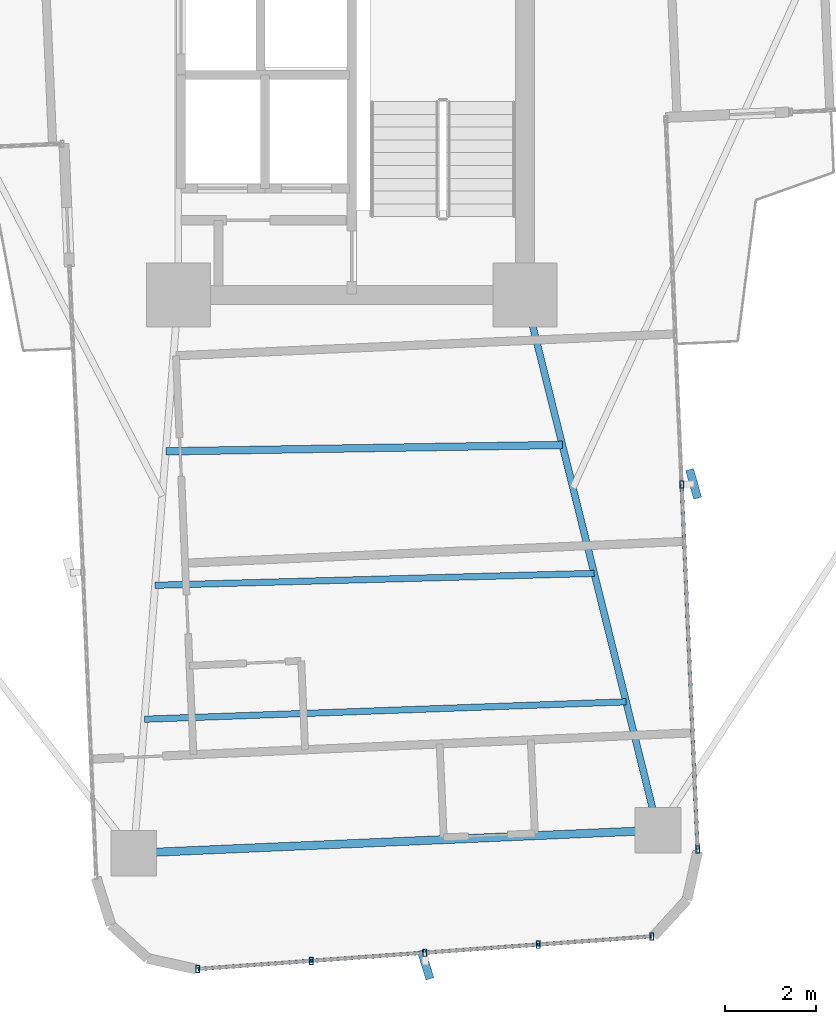
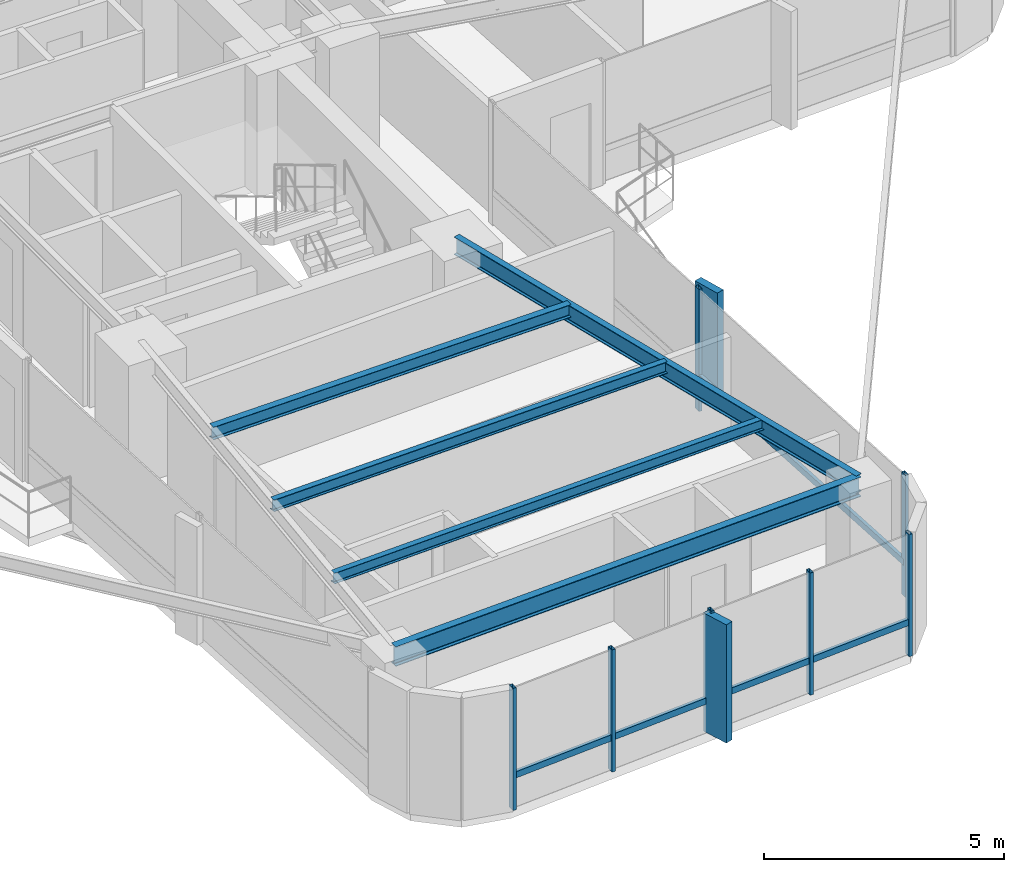
# One storey, part 6 of 26: 14 members, 5 beams, 2 elements without a shape of their own.
"""IFC4 building model written with IfcOpenShell, lengths in metres."""

from ifc_helpers import new_model, si_unit, direction, frame, origin, origin_2d, place, context, subcontext, project, spatial, rectangle, hollow_rectangle, i_section, extrude, source, transform, mapped, material, material_profile, profile_set, type_object, element, aggregate, save


model = new_model("IFC4")

# Units and contexts
model_context = context("Model", 3, precision=1e-05, world=origin(), true_north=direction((0.0, 1.0)))
body_context = subcontext(model_context, "Body", "Model", "MODEL_VIEW")
ifc_project = project(units=[si_unit("LENGTHUNIT", "METRE"), si_unit("AREAUNIT", "SQUARE_METRE"), si_unit("VOLUMEUNIT", "CUBIC_METRE"), si_unit("PLANEANGLEUNIT", "RADIAN"), si_unit("MASSUNIT", "GRAM", prefix="KILO")], contexts=[model_context])

# Site, building, storey
site_placement = place(None, origin())
site = spatial("IfcSite", under=ifc_project, at=site_placement, CompositionType="ELEMENT")
building_placement = place(site_placement, origin())
building = spatial("IfcBuilding", under=site, at=building_placement, Name="Sahyath Konkavel Grand Hotel", CompositionType="ELEMENT")
storey_placement = place(building_placement, frame((0.0, 0.0, 86.85009765625)))
storey = spatial("IfcBuildingStorey", under=building, at=storey_placement, Name="L23", CompositionType="ELEMENT", Elevation=86.85009765625)

# Beams
ifc_material_1 = material(Name="Steel E350", Category="steel")
ifc_material_profile_1 = material_profile(ifc_material_1, i_section(OverallWidth=0.14990234375, OverallDepth=0.449951171875, WebThickness=0.009521484375, FlangeThickness=0.017333984375, FilletRadius=0.014892578125, at=origin_2d()), Name="ISMB 450")
ifc_profile_set_1 = profile_set([ifc_material_profile_1], Name="Steel E350")
beam_type_1 = type_object("IfcBeamType", Name="BM-ISMB450", PredefinedType="BEAM", material=ifc_profile_set_1)
shared_shape_1 = source(origin(), body_context, "Body", "SweptSolid", [
    extrude(i_section(OverallWidth=0.14990234375, OverallDepth=0.449951171875, WebThickness=0.009521484375, FlangeThickness=0.017333984375, FilletRadius=0.014892578125, at=origin_2d()), origin(), (0.0, 0.0, 1.0), 12.084228515625),
])
beam_1_placement = place(storey_placement, frame((3.800048828125, -10.199951171875, 2.885009765625), z_axis=(0.241042688481, -0.970514514229, 0.0), x_axis=(0.970514514229, 0.241042688481, 0.0)))
element("IfcBeam", 1, at=beam_1_placement, inside=storey, type_object=beam_type_1, Name="L23 Cruciform Radial Girder SB", PredefinedType="BEAM", context=body_context, shape_type="MappedRepresentation", body=[
    mapped(shared_shape_1, transform((0.0, 0.0, 0.0), scale=1.0)),
])
ifc_material_profile_2 = material_profile(ifc_material_1, i_section(OverallWidth=0.179931640625, OverallDepth=0.5, WebThickness=0.01025390625, FlangeThickness=0.01708984375, FilletRadius=0.01708984375, at=origin_2d()), Name="ISMB 500")
ifc_profile_set_2 = profile_set([ifc_material_profile_2], Name="Steel E350")
beam_type_2 = type_object("IfcBeamType", Name="BM-ISMB500", PredefinedType="BEAM", material=ifc_profile_set_2)
shared_shape_2 = source(origin(), body_context, "Body", "SweptSolid", [
    extrude(i_section(OverallWidth=0.179931640625, OverallDepth=0.5, WebThickness=0.01025390625, FlangeThickness=0.01708984375, FilletRadius=0.01708984375, at=origin_2d()), origin(), (0.0, 0.0, 1.0), 11.5),
])
beam_2_placement = place(storey_placement, frame((-4.776123046875, -22.4296875, 2.85986328125), z_axis=(0.99904788879, 0.043627008892, 0.0), x_axis=(-0.043627008892, 0.99904788879, 0.0)))
element("IfcBeam", 2, at=beam_2_placement, inside=storey, type_object=beam_type_2, Name="L23 Wing Tip Edge Beam S", PredefinedType="BEAM", context=body_context, shape_type="MappedRepresentation", body=[
    mapped(shared_shape_2, transform((0.0, 0.0, 0.0), scale=1.0)),
])
ifc_material_profile_3 = material_profile(ifc_material_1, i_section(OverallWidth=0.1650390625, OverallDepth=0.324951171875, WebThickness=0.007080078125, FlangeThickness=0.009765625, FilletRadius=0.014892578125, at=origin_2d()), Name="ISLB 325")
ifc_profile_set_3 = profile_set([ifc_material_profile_3], Name="Steel E350")
beam_type_3 = type_object("IfcBeamType", Name="BM-ISLB325", PredefinedType="BEAM", material=ifc_profile_set_3)
shared_shape_3 = source(origin(), body_context, "Body", "SweptSolid", [
    extrude(i_section(OverallWidth=0.1650390625, OverallDepth=0.324951171875, WebThickness=0.007080078125, FlangeThickness=0.009765625, FilletRadius=0.014892578125, at=origin_2d()), origin(), (0.0, 0.0, 1.0), 8.68994140625),
])
beam_3_placement = place(storey_placement, frame((-4.0732421875, -13.624267578125, 2.947509765625), z_axis=(0.999869506431, 0.016154569283, 0.0), x_axis=(-0.016154569283, 0.999869506431, 0.0)))
element("IfcBeam", 3, at=beam_3_placement, inside=storey, type_object=beam_type_3, Name="L23 Secondary Floor Beam S-1", PredefinedType="BEAM", context=body_context, shape_type="MappedRepresentation", body=[
    mapped(shared_shape_3, transform((0.0, 0.0, 0.0), scale=1.0)),
])
ifc_material_profile_4 = material_profile(ifc_material_1, i_section(OverallWidth=0.139892578125, OverallDepth=0.300048828125, WebThickness=0.0078125, FlangeThickness=0.01318359375, FilletRadius=0.013916015625, at=origin_2d()), Name="ISMB 300")
ifc_profile_set_4 = profile_set([ifc_material_profile_4], Name="Steel E350")
beam_type_4 = type_object("IfcBeamType", Name="BM-ISMB300", PredefinedType="BEAM", material=ifc_profile_set_4)
shared_shape_4 = source(origin(), body_context, "Body", "SweptSolid", [
    extrude(i_section(OverallWidth=0.139892578125, OverallDepth=0.300048828125, WebThickness=0.0078125, FlangeThickness=0.01318359375, FilletRadius=0.013916015625, at=origin_2d()), origin(), (0.0, 0.0, 1.0), 9.625732421875),
])
beam_4_placement = place(storey_placement, frame((-4.3076171875, -16.559326171875, 2.9599609375), z_axis=(0.999633060528, 0.027087714933, 0.0), x_axis=(-0.027087714933, 0.999633060528, 0.0)))
element("IfcBeam", 4, at=beam_4_placement, inside=storey, type_object=beam_type_4, Name="L23 Secondary Floor Beam S-2", PredefinedType="BEAM", context=body_context, shape_type="MappedRepresentation", body=[
    mapped(shared_shape_4, transform((0.0, 0.0, 0.0), scale=1.0)),
])
ifc_material_profile_5 = material_profile(ifc_material_1, i_section(OverallWidth=0.139892578125, OverallDepth=0.27490234375, WebThickness=0.00634765625, FlangeThickness=0.0087890625, FilletRadius=0.012939453125, at=origin_2d()), Name="ISLB 275")
ifc_profile_set_5 = profile_set([ifc_material_profile_5], Name="Steel E350")
beam_type_5 = type_object("IfcBeamType", Name="BM-ISLB275", PredefinedType="BEAM", material=ifc_profile_set_5)
shared_shape_5 = source(origin(), body_context, "Body", "SweptSolid", [
    extrude(i_section(OverallWidth=0.139892578125, OverallDepth=0.27490234375, WebThickness=0.00634765625, FlangeThickness=0.0087890625, FilletRadius=0.012939453125, at=origin_2d()), origin(), (0.0, 0.0, 1.0), 10.562744140625),
])
beam_5_placement = place(storey_placement, frame((-4.5419921875, -19.49462890625, 2.972412109375), z_axis=(0.999348077295, 0.036102914095, 0.0), x_axis=(-0.036102914095, 0.999348077295, 0.0)))
element("IfcBeam", 5, at=beam_5_placement, inside=storey, type_object=beam_type_5, Name="L23 Secondary Floor Beam S-3", PredefinedType="BEAM", context=body_context, shape_type="MappedRepresentation", body=[
    mapped(shared_shape_5, transform((0.0, 0.0, 0.0), scale=1.0)),
])

# Curtain wall, members
ifc_material_2 = material(Name="Anodised Bronze Aluminium & Low-E Glazing", Category="aluminium")
curtain_wall_type = type_object("IfcCurtainWallType", Name="CW-ZONE2", PredefinedType="NOTDEFINED", material=ifc_material_2)
curtain_wall_1_placement = place(storey_placement, origin())
curtain_wall_1 = element("IfcCurtainWall", 6, at=curtain_wall_1_placement, inside=storey, type_object=curtain_wall_type, Name="L23 Unitised Curtain Wall F28", PredefinedType="NOTDEFINED")
ifc_material_3 = material(Name="Anodised Bronze Aluminium", Category="aluminium")
ifc_material_profile_6 = material_profile(ifc_material_3, hollow_rectangle(XDim=0.080078125, YDim=0.159912109375, WallThickness=0.006103515625, at=origin_2d()), Name="RHS 160x80x6")
ifc_profile_set_6 = profile_set([ifc_material_profile_6], Name="Anodised Bronze Aluminium")
member_type_1 = type_object("IfcMemberType", Name="CW-MUL-160", PredefinedType="MULLION", material=ifc_profile_set_6)
shared_shape_6 = source(origin(), body_context, "Body", "SweptSolid", [
    extrude(hollow_rectangle(XDim=0.080078125, YDim=0.159912109375, WallThickness=0.006103515625, at=origin_2d()), origin(), (0.0, 0.0, 1.0), 3.10986328125),
])
member_1_placement = place(storey_placement, frame((-3.3740234375, -24.9697265625, 0.0), z_axis=(0.0, 0.0, 1.0), x_axis=(1.0, 0.0, 0.0)))
member_1 = element("IfcMember", 7, at=member_1_placement, type_object=member_type_1, Name="L23 Curtain Wall Mullion F28-0", PredefinedType="MULLION", context=body_context, shape_type="MappedRepresentation", body=[
    mapped(shared_shape_6, transform((0.0, 0.0, 0.0), scale=1.0)),
])
member_2_placement = place(storey_placement, frame((-0.886962890625, -24.79150390625, 0.0), z_axis=(0.0, 0.0, 1.0), x_axis=(1.0, 0.0, 0.0)))
member_2 = element("IfcMember", 8, at=member_2_placement, type_object=member_type_1, Name="L23 Curtain Wall Mullion F28-1", PredefinedType="MULLION", context=body_context, shape_type="MappedRepresentation", body=[
    mapped(shared_shape_6, transform((0.0, 0.0, 0.0), scale=1.0)),
])
member_3_placement = place(storey_placement, frame((1.60009765625, -24.61279296875, 0.0), z_axis=(0.0, 0.0, 1.0), x_axis=(1.0, 0.0, 0.0)))
member_3 = element("IfcMember", 9, at=member_3_placement, type_object=member_type_1, Name="L23 Curtain Wall Mullion F28-2", PredefinedType="MULLION", context=body_context, shape_type="MappedRepresentation", body=[
    mapped(shared_shape_6, transform((0.0, 0.0, 0.0), scale=1.0)),
])
member_4_placement = place(storey_placement, frame((4.087158203125, -24.4345703125, 0.0), z_axis=(0.0, 0.0, 1.0), x_axis=(1.0, 0.0, 0.0)))
member_4 = element("IfcMember", 10, at=member_4_placement, type_object=member_type_1, Name="L23 Curtain Wall Mullion F28-3", PredefinedType="MULLION", context=body_context, shape_type="MappedRepresentation", body=[
    mapped(shared_shape_6, transform((0.0, 0.0, 0.0), scale=1.0)),
])
member_5_placement = place(storey_placement, frame((6.57421875, -24.256103515625, 0.0), z_axis=(0.0, 0.0, 1.0), x_axis=(1.0, 0.0, 0.0)))
member_5 = element("IfcMember", 11, at=member_5_placement, type_object=member_type_1, Name="L23 Curtain Wall Mullion F28-4", PredefinedType="MULLION", context=body_context, shape_type="MappedRepresentation", body=[
    mapped(shared_shape_6, transform((0.0, 0.0, 0.0), scale=1.0)),
])

curtain_wall_2_placement = place(storey_placement, origin())
curtain_wall_2 = element("IfcCurtainWall", 12, at=curtain_wall_2_placement, inside=storey, type_object=curtain_wall_type, Name="L23 Unitised Curtain Wall F31", PredefinedType="NOTDEFINED")
member_6_placement = place(storey_placement, frame((7.582275390625, -22.3505859375, 0.0), z_axis=(0.0, 0.0, 1.0), x_axis=(1.0, 0.0, 0.0)))
member_6 = element("IfcMember", 13, at=member_6_placement, type_object=member_type_1, Name="L23 Curtain Wall Mullion F31-0", PredefinedType="MULLION", context=body_context, shape_type="MappedRepresentation", body=[
    mapped(shared_shape_6, transform((0.0, 0.0, 0.0), scale=1.0)),
])
member_7_placement = place(storey_placement, frame((7.232666015625, -14.34814453125, 0.0), z_axis=(0.0, 0.0, 1.0), x_axis=(1.0, 0.0, 0.0)))
member_7 = element("IfcMember", 14, at=member_7_placement, type_object=member_type_1, Name="L23 Curtain Wall Mullion F31-1", PredefinedType="MULLION", context=body_context, shape_type="MappedRepresentation", body=[
    mapped(shared_shape_6, transform((0.0, 0.0, 0.0), scale=1.0)),
])

# Member
ifc_material_4 = material(Name="Warm Buff Sandstone Cladding on Concrete C50/60", Category="masonry")
ifc_material_profile_7 = material_profile(ifc_material_4, rectangle(XDim=0.179931640625, YDim=0.64990234375, at=origin_2d()), Name="FIN 180x650")
ifc_profile_set_7 = profile_set([ifc_material_profile_7], Name="Warm Buff Sandstone Cladding on Concrete C50/60")
member_type_2 = type_object("IfcMemberType", Name="FIN-SANDSTONE-650", PredefinedType="MULLION", material=ifc_profile_set_7)
shared_shape_7 = source(origin(), body_context, "Body", "SweptSolid", [
    extrude(rectangle(XDim=0.179931640625, YDim=0.64990234375, at=origin_2d()), origin(), (0.0, 0.0, 1.0), 3.010009765625),
])
member_8_placement = place(storey_placement, frame((1.61865234375, -24.872314453125, 0.0498046875), z_axis=(0.0, 0.0, 1.0), x_axis=(0.954812686667, 0.297208232354, 0.0)))
member_8 = element("IfcMember", 15, at=member_8_placement, type_object=member_type_2, Name="L23 Sandstone Vertical Solar Fin FIN F28-2", PredefinedType="MULLION", context=body_context, shape_type="MappedRepresentation", body=[
    mapped(shared_shape_7, transform((0.0, 0.0, 0.0), scale=1.0)),
])

member_9_placement = place(storey_placement, frame((7.492431640625, -14.3369140625, 0.0498046875), z_axis=(0.0, 0.0, 1.0), x_axis=(0.962360427228, 0.271776393577, 0.0)))
member_9 = element("IfcMember", 16, at=member_9_placement, type_object=member_type_2, Name="L23 Sandstone Vertical Solar Fin FIN F31-1", PredefinedType="MULLION", context=body_context, shape_type="MappedRepresentation", body=[
    mapped(shared_shape_7, transform((0.0, 0.0, 0.0), scale=1.0)),
])

ifc_material_profile_8 = material_profile(ifc_material_3, hollow_rectangle(XDim=0.080078125, YDim=0.159912109375, WallThickness=0.006103515625, at=origin_2d()), Name="RHS 160x80x6")
ifc_profile_set_8 = profile_set([ifc_material_profile_8], Name="Anodised Bronze Aluminium")
member_type_3 = type_object("IfcMemberType", Name="CW-TRN-160", PredefinedType="USERDEFINED", material=ifc_profile_set_8)
shared_shape_8 = source(origin(), body_context, "Body", "SweptSolid", [
    extrude(hollow_rectangle(XDim=0.080078125, YDim=0.159912109375, WallThickness=0.006103515625, at=origin_2d()), origin(), (0.0, 0.0, 1.0), 2.493408203125),
])
member_10_placement = place(storey_placement, frame((-3.3740234375, -24.9697265625, 0.849853515625), z_axis=(0.997442271688, 0.071476672066, 0.0), x_axis=(-0.071476672066, 0.997442271688, 0.0)))
member_10 = element("IfcMember", 17, at=member_10_placement, type_object=member_type_3, Name="L23 Curtain Wall Transom F28-0-spandrel", ObjectType="TRANSOM", PredefinedType="USERDEFINED", context=body_context, shape_type="MappedRepresentation", body=[
    mapped(shared_shape_8, transform((0.0, 0.0, 0.0), scale=1.0)),
])

member_11_placement = place(storey_placement, frame((-0.886962890625, -24.79150390625, 0.849853515625), z_axis=(0.997428291631, 0.071671494009, 0.0), x_axis=(-0.071671494009, 0.997428291631, 0.0)))
member_11 = element("IfcMember", 18, at=member_11_placement, type_object=member_type_3, Name="L23 Curtain Wall Transom F28-1-spandrel", ObjectType="TRANSOM", PredefinedType="USERDEFINED", context=body_context, shape_type="MappedRepresentation", body=[
    mapped(shared_shape_8, transform((0.0, 0.0, 0.0), scale=1.0)),
])

member_12_placement = place(storey_placement, frame((1.60009765625, -24.61279296875, 0.849853515625), z_axis=(0.997442271688, 0.071476672066, 0.0), x_axis=(-0.071476672066, 0.997442271688, 0.0)))
member_12 = element("IfcMember", 19, at=member_12_placement, type_object=member_type_3, Name="L23 Curtain Wall Transom F28-2-spandrel", ObjectType="TRANSOM", PredefinedType="USERDEFINED", context=body_context, shape_type="MappedRepresentation", body=[
    mapped(shared_shape_8, transform((0.0, 0.0, 0.0), scale=1.0)),
])

member_13_placement = place(storey_placement, frame((4.087158203125, -24.4345703125, 0.849853515625), z_axis=(0.997435286367, 0.071574084062, 0.0), x_axis=(-0.071574084062, 0.997435286367, 0.0)))
member_13 = element("IfcMember", 20, at=member_13_placement, type_object=member_type_3, Name="L23 Curtain Wall Transom F28-3-spandrel", ObjectType="TRANSOM", PredefinedType="USERDEFINED", context=body_context, shape_type="MappedRepresentation", body=[
    mapped(shared_shape_8, transform((0.0, 0.0, 0.0), scale=1.0)),
])

aggregate(curtain_wall_1, [member_1, member_2, member_3, member_8, member_4, member_5, member_10, member_11, member_12, member_13])

shared_shape_9 = source(origin(), body_context, "Body", "SweptSolid", [
    extrude(hollow_rectangle(XDim=0.080078125, YDim=0.159912109375, WallThickness=0.006103515625, at=origin_2d()), origin(), (0.0, 0.0, 1.0), 8.010009765625),
])
member_14_placement = place(storey_placement, frame((7.582275390625, -22.3505859375, 0.849853515625), z_axis=(-0.043646207089, 0.999047050247, 0.0), x_axis=(-0.999047050247, -0.043646207089, 0.0)))
member_14 = element("IfcMember", 21, at=member_14_placement, type_object=member_type_3, Name="L23 Curtain Wall Transom F31-0-spandrel", ObjectType="TRANSOM", PredefinedType="USERDEFINED", context=body_context, shape_type="MappedRepresentation", body=[
    mapped(shared_shape_9, transform((0.0, 0.0, 0.0), scale=1.0)),
])

aggregate(curtain_wall_2, [member_6, member_7, member_9, member_14])

save(model, "model.ifc")
